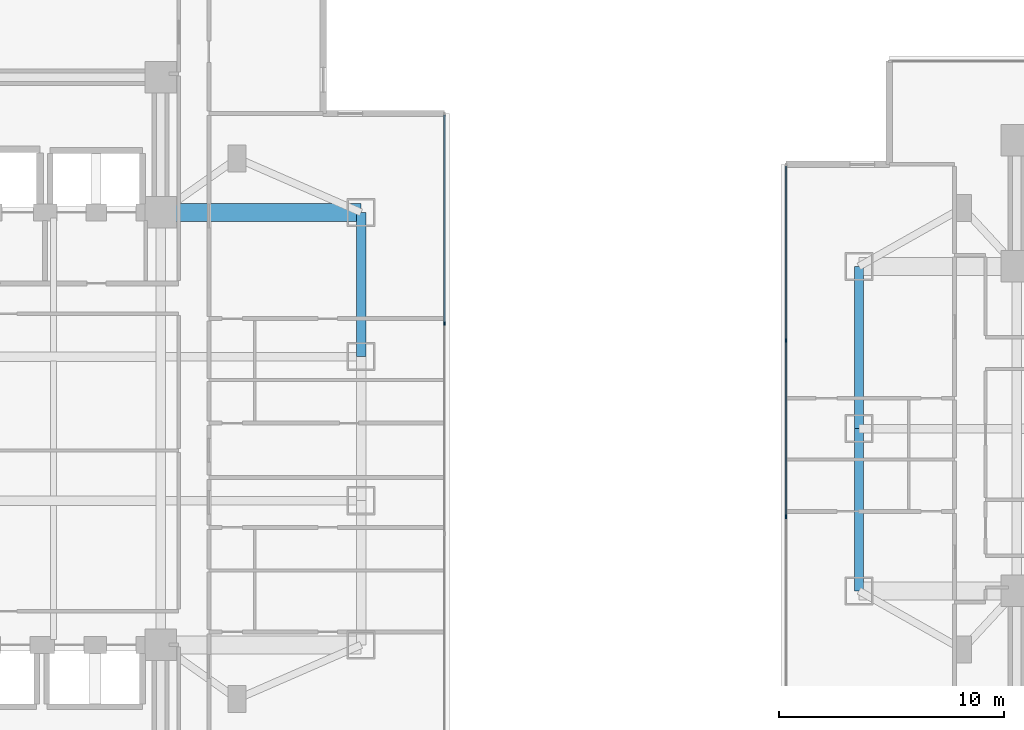
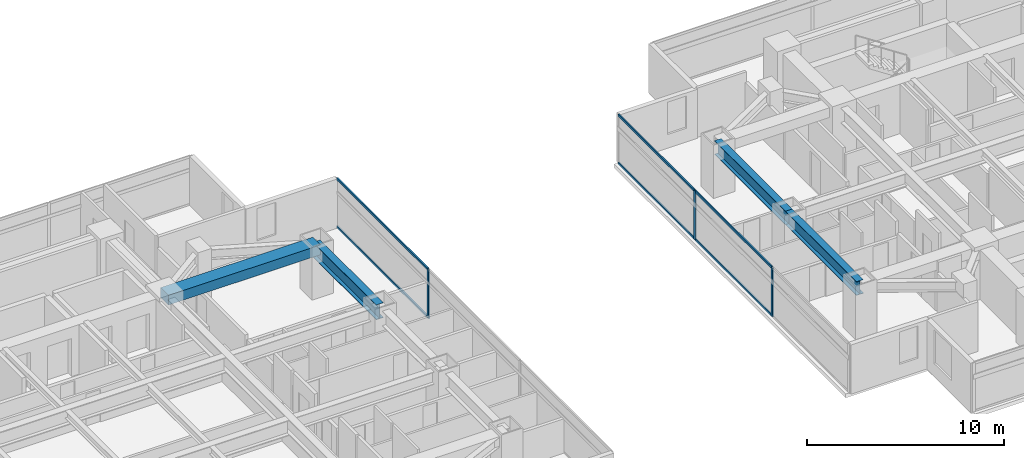
# One storey, part 6 of 25: 9 members, 4 beams, 2 elements without a shape of their own.
"""IFC4 building model written with IfcOpenShell, lengths in metres."""

from ifc_helpers import new_model, si_unit, direction, frame, origin, origin_2d, place, context, subcontext, project, spatial, rectangle, i_section, extrude, material, material_profile, profile_set, type_object, element, aggregate, save


model = new_model("IFC4")

# Units and contexts
model_context = context("Model", 3, precision=1e-05, world=origin(), true_north=direction((0.0, 1.0)))
body_context = subcontext(model_context, "Body", "Model", "MODEL_VIEW")
ifc_project = project(units=[si_unit("LENGTHUNIT", "METRE"), si_unit("AREAUNIT", "SQUARE_METRE"), si_unit("VOLUMEUNIT", "CUBIC_METRE"), si_unit("PLANEANGLEUNIT", "RADIAN"), si_unit("MASSUNIT", "GRAM", prefix="KILO")], contexts=[model_context])

# Site, building, storey
site_placement = place(None, origin())
site = spatial("IfcSite", under=ifc_project, at=site_placement, CompositionType="ELEMENT")
building_placement = place(site_placement, origin())
building = spatial("IfcBuilding", under=site, at=building_placement, Name="Mirazonda Arch Towers", CompositionType="ELEMENT")
storey_placement = place(building_placement, frame((0.0, 0.0, 35.60009765625)))
storey = spatial("IfcBuildingStorey", under=building, at=storey_placement, Name="L09", CompositionType="ELEMENT", Elevation=35.60009765625)

# Beams
ifc_material_1 = material(Name="Steel ASTM A992 Grade 50", Category="steel")
ifc_material_profile_1 = material_profile(ifc_material_1, i_section(OverallWidth=0.39990234375, OverallDepth=0.85595703125, WebThickness=0.018310546875, FlangeThickness=0.029296875, at=origin_2d()), Name="W33X201")
ifc_profile_set_1 = profile_set([ifc_material_profile_1], Name="Steel ASTM A992 Grade 50")
beam_type_1 = type_object("IfcBeamType", Name="BM-EXT-W33X201", PredefinedType="USERDEFINED", material=ifc_profile_set_1)
for number, where, z_axis, x_axis, name in (
    (1, (61.0, 20.800048828125, 2.6318359375), (0.0, 1.0, 0.0), (-1.0, 0.0, 0.0), "L09 Floor Beam BM-T2-L09-NS-W-20"),
    (2, (61.0, 28.0, 2.6318359375), (0.0, 1.0, 0.0), (-1.0, 0.0, 0.0), "L09 Floor Beam BM-T2-L09-NS-W-28"),
):
    element("IfcBeam", number, at=place(storey_placement, frame(where, z_axis=z_axis, x_axis=x_axis)), inside=storey, type_object=beam_type_1, Name=name, ObjectType="GIRDER", PredefinedType="USERDEFINED", context=body_context, shape_type="SweptSolid", body=[
        extrude(i_section(OverallWidth=0.39990234375, OverallDepth=0.85595703125, WebThickness=0.018310546875, FlangeThickness=0.029296875, at=origin_2d()), origin(), (0.0, 0.0, 1.0), 7.199951171875),
    ])
ifc_material_profile_2 = material_profile(ifc_material_1, i_section(OverallWidth=0.41796875, OverallDepth=0.927001953125, WebThickness=0.019287109375, FlangeThickness=0.031982421875, at=origin_2d()), Name="W36X231")
ifc_profile_set_2 = profile_set([ifc_material_profile_2], Name="Steel ASTM A992 Grade 50")
beam_type_2 = type_object("IfcBeamType", Name="BM-EXT-W36X231", PredefinedType="USERDEFINED", material=ifc_profile_set_2)
beam_1_placement = place(storey_placement, frame((38.89990234375, 31.199951171875, 2.596435546875), z_axis=(0.0, 1.0, 0.0), x_axis=(-1.0, 0.0, 0.0)))
element("IfcBeam", 3, at=beam_1_placement, inside=storey, type_object=beam_type_2, Name="L09 Floor Beam BM-T1-L09-NS-E-31", ObjectType="GIRDER", PredefinedType="USERDEFINED", context=body_context, shape_type="SweptSolid", body=[
    extrude(i_section(OverallWidth=0.41796875, OverallDepth=0.927001953125, WebThickness=0.019287109375, FlangeThickness=0.031982421875, at=origin_2d()), origin(), (0.0, 0.0, 1.0), 6.400146484375),
])
ifc_material_2 = material(Name="Concrete C60/75", Category="concrete")
ifc_material_profile_3 = material_profile(ifc_material_2, rectangle(XDim=0.800048828125, YDim=0.60009765625, at=origin_2d()), Name="RCCB800x600")
ifc_profile_set_3 = profile_set([ifc_material_profile_3], Name="Concrete C60/75")
beam_type_3 = type_object("IfcBeamType", Name="CB-INT-RCCB800x600", PredefinedType="SPANDREL", material=ifc_profile_set_3)
beam_2_placement = place(storey_placement, frame((30.0, 37.60009765625, 2.760009765625), z_axis=(1.0, 0.0, 0.0), x_axis=(0.0, 1.0, 0.0)))
element("IfcBeam", 4, at=beam_2_placement, inside=storey, type_object=beam_type_3, Name="L09 Floor Beam CBC-T1-L09-NE", PredefinedType="SPANDREL", context=body_context, shape_type="SweptSolid", body=[
    extrude(rectangle(XDim=0.800048828125, YDim=0.60009765625, at=origin_2d()), origin(), (0.0, 0.0, 1.0), 8.89990234375),
])

# Curtain wall, member
ifc_material_3 = material(Name="Anodised Aluminium and Low-E Glass", Category="aluminium")
curtain_wall_type = type_object("IfcCurtainWallType", Name="CW-HTL-UNIT", PredefinedType="NOTDEFINED", material=ifc_material_3)
curtain_wall_1_placement = place(storey_placement, origin())
curtain_wall_1 = element("IfcCurtainWall", 5, at=curtain_wall_1_placement, inside=storey, type_object=curtain_wall_type, Name="L09 T1 E Facade CW-L09-T1-E", PredefinedType="NOTDEFINED")
ifc_material_4 = material(Name="Anodised Aluminium Alloy", Category="aluminium")
ifc_material_profile_4 = material_profile(ifc_material_4, rectangle(XDim=0.074951171875, YDim=0.1650390625, at=origin_2d()), Name="ALU-MULL-75x165")
ifc_profile_set_4 = profile_set([ifc_material_profile_4], Name="Anodised Aluminium Alloy")
member_type_1 = type_object("IfcMemberType", Name="MULL-CW-HTL-UNIT", PredefinedType="MULLION", material=ifc_profile_set_4)
member_1_placement = place(storey_placement, frame((42.60009765625, 32.6640625, 0.0), z_axis=(0.0, 0.0, 1.0), x_axis=(-1.0, 0.0, 0.0)))
member_1 = element("IfcMember", 6, at=member_1_placement, type_object=member_type_1, Name="CW-112 mullion 3", PredefinedType="MULLION", context=body_context, shape_type="SweptSolid", body=[
    extrude(rectangle(XDim=0.074951171875, YDim=0.1650390625, at=origin_2d()), origin(), (0.0, 0.0, 1.0), 3.039794921875),
])

# Curtain wall, members
curtain_wall_2_placement = place(storey_placement, origin())
curtain_wall_2 = element("IfcCurtainWall", 7, at=curtain_wall_2_placement, inside=storey, type_object=curtain_wall_type, Name="L09 T2 W Facade CW-L09-T2-W", PredefinedType="NOTDEFINED")
member_2_placement = place(storey_placement, frame((57.76806640625, 31.9111328125, 0.0), z_axis=(0.0, 0.0, 1.0), x_axis=(1.0, 0.0, 0.0)))
member_2 = element("IfcMember", 8, at=member_2_placement, type_object=member_type_1, Name="CW-112 mullion 2", PredefinedType="MULLION", context=body_context, shape_type="SweptSolid", body=[
    extrude(rectangle(XDim=0.074951171875, YDim=0.1650390625, at=origin_2d()), origin(), (0.0, 0.0, 1.0), 3.039794921875),
])
member_3_placement = place(storey_placement, frame((57.76806640625, 24.0888671875, 0.0), z_axis=(0.0, 0.0, 1.0), x_axis=(1.0, 0.0, 0.0)))
member_3 = element("IfcMember", 9, at=member_3_placement, type_object=member_type_1, Name="CW-112 mullion 3", PredefinedType="MULLION", context=body_context, shape_type="SweptSolid", body=[
    extrude(rectangle(XDim=0.074951171875, YDim=0.1650390625, at=origin_2d()), origin(), (0.0, 0.0, 1.0), 3.039794921875),
])

# Member
ifc_material_profile_5 = material_profile(ifc_material_4, rectangle(XDim=0.074951171875, YDim=0.14501953125, at=origin_2d()), Name="ALU-TRAN-75x145")
ifc_profile_set_5 = profile_set([ifc_material_profile_5], Name="Anodised Aluminium Alloy")
member_type_2 = type_object("IfcMemberType", Name="TRAN-CW-HTL-UNIT", PredefinedType="USERDEFINED", material=ifc_profile_set_5)
member_4_placement = place(storey_placement, frame((42.60009765625, 32.701416015625, 0.037353515625), z_axis=(0.0, 1.0, 0.0), x_axis=(-1.0, 0.0, 0.0)))
member_4 = element("IfcMember", 10, at=member_4_placement, type_object=member_type_2, Name="CW-112 transom 3.1", ObjectType="TRANSOM", PredefinedType="USERDEFINED", context=body_context, shape_type="SweptSolid", body=[
    extrude(rectangle(XDim=0.074951171875, YDim=0.14501953125, at=origin_2d()), origin(), (0.0, 0.0, 1.0), 9.215576171875),
])

member_5_placement = place(storey_placement, frame((42.60009765625, 32.701416015625, 3.00244140625), z_axis=(0.0, 1.0, 0.0), x_axis=(-1.0, 0.0, 0.0)))
member_5 = element("IfcMember", 11, at=member_5_placement, type_object=member_type_2, Name="CW-112 transom 3.2", ObjectType="TRANSOM", PredefinedType="USERDEFINED", context=body_context, shape_type="SweptSolid", body=[
    extrude(rectangle(XDim=0.074951171875, YDim=0.14501953125, at=origin_2d()), origin(), (0.0, 0.0, 1.0), 9.215576171875),
])

aggregate(curtain_wall_1, [member_1, member_4, member_5])

member_6_placement = place(storey_placement, frame((57.76806640625, 39.658203125, 0.037353515625), z_axis=(0.0, -1.0, 0.0), x_axis=(1.0, 0.0, 0.0)))
member_6 = element("IfcMember", 12, at=member_6_placement, type_object=member_type_2, Name="CW-112 transom 1.1", ObjectType="TRANSOM", PredefinedType="USERDEFINED", context=body_context, shape_type="SweptSolid", body=[
    extrude(rectangle(XDim=0.074951171875, YDim=0.14501953125, at=origin_2d()), origin(), (0.0, 0.0, 1.0), 7.709716796875),
])

member_7_placement = place(storey_placement, frame((57.76806640625, 39.658203125, 3.00244140625), z_axis=(0.0, -1.0, 0.0), x_axis=(1.0, 0.0, 0.0)))
member_7 = element("IfcMember", 13, at=member_7_placement, type_object=member_type_2, Name="CW-112 transom 1.2", ObjectType="TRANSOM", PredefinedType="USERDEFINED", context=body_context, shape_type="SweptSolid", body=[
    extrude(rectangle(XDim=0.074951171875, YDim=0.14501953125, at=origin_2d()), origin(), (0.0, 0.0, 1.0), 7.709716796875),
])

member_8_placement = place(storey_placement, frame((57.76806640625, 31.87353515625, 0.037353515625), z_axis=(0.0, -1.0, 0.0), x_axis=(1.0, 0.0, 0.0)))
member_8 = element("IfcMember", 14, at=member_8_placement, type_object=member_type_2, Name="CW-112 transom 2.1", ObjectType="TRANSOM", PredefinedType="USERDEFINED", context=body_context, shape_type="SweptSolid", body=[
    extrude(rectangle(XDim=0.074951171875, YDim=0.14501953125, at=origin_2d()), origin(), (0.0, 0.0, 1.0), 7.7470703125),
])

member_9_placement = place(storey_placement, frame((57.76806640625, 31.87353515625, 3.00244140625), z_axis=(0.0, -1.0, 0.0), x_axis=(1.0, 0.0, 0.0)))
member_9 = element("IfcMember", 15, at=member_9_placement, type_object=member_type_2, Name="CW-112 transom 2.2", ObjectType="TRANSOM", PredefinedType="USERDEFINED", context=body_context, shape_type="SweptSolid", body=[
    extrude(rectangle(XDim=0.074951171875, YDim=0.14501953125, at=origin_2d()), origin(), (0.0, 0.0, 1.0), 7.7470703125),
])

aggregate(curtain_wall_2, [member_2, member_3, member_6, member_7, member_8, member_9])

save(model, "model.ifc")
